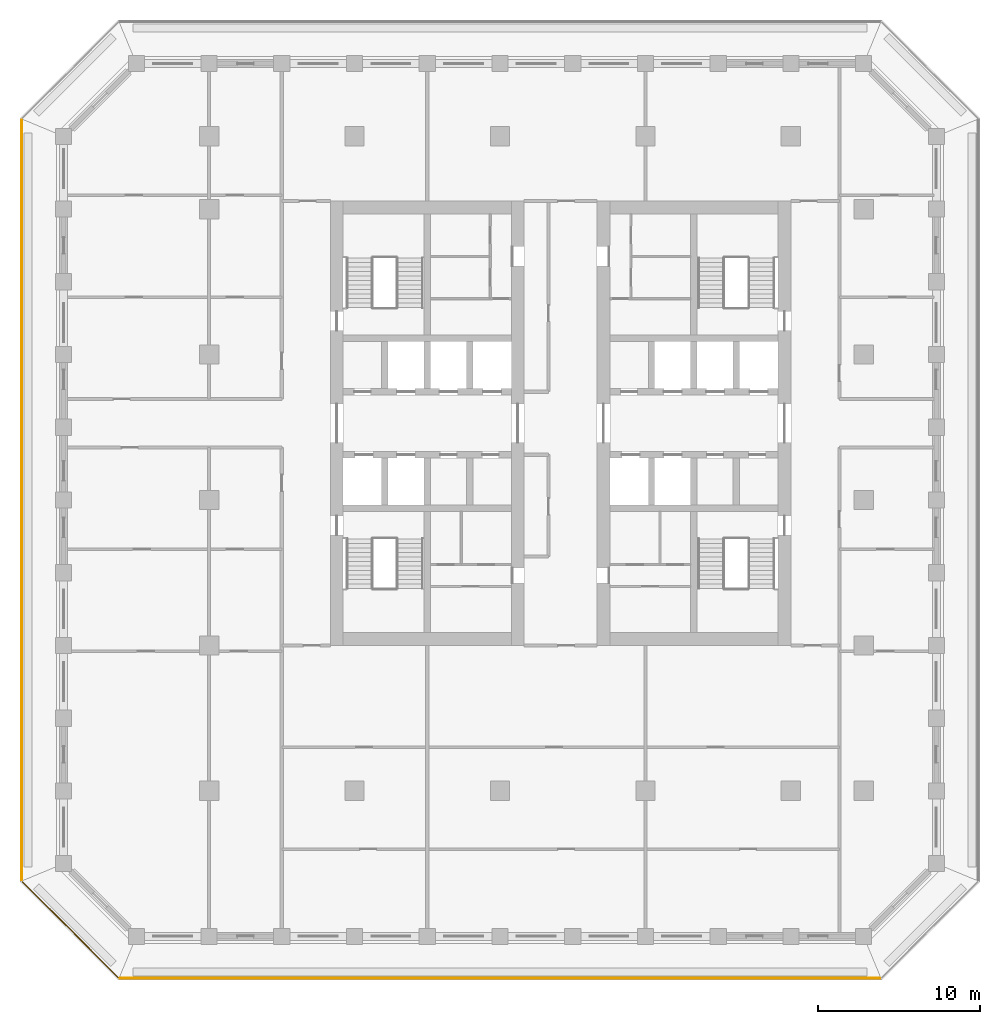
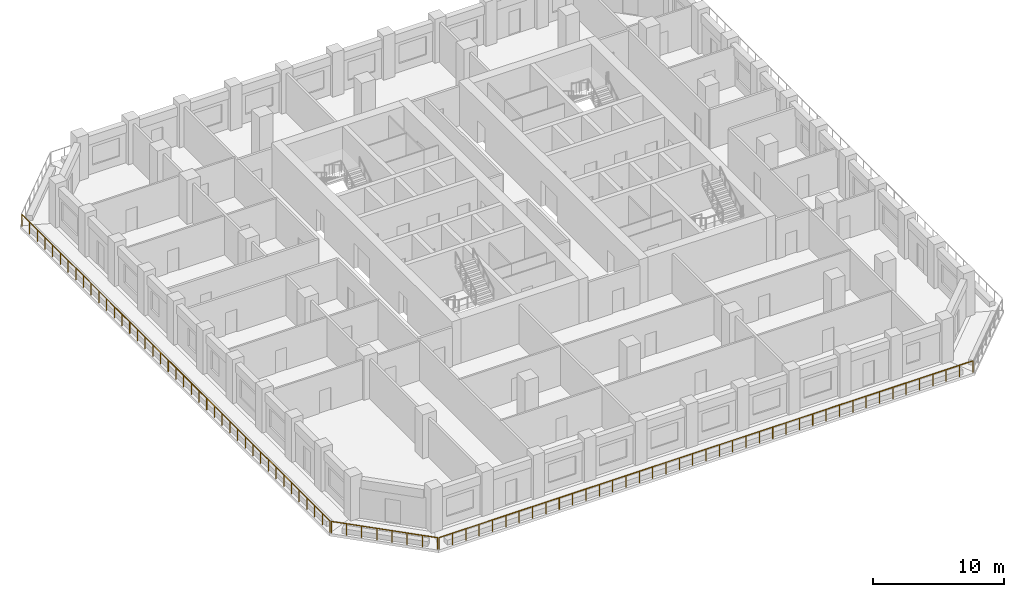
# One storey, part 9 of 16: 3 railings.
"""IFC4 building model written with IfcOpenShell, lengths in metres."""

from ifc_helpers import new_model, si_unit, direction, frame, origin, origin_2d, place, context, subcontext, project, spatial, circle, extrude, material, type_object, element, save


model = new_model("IFC4")

# Units and contexts
model_context = context("Model", 3, precision=1e-05, world=origin(), true_north=direction((0.0, 1.0)))
body_context = subcontext(model_context, "Body", "Model", "MODEL_VIEW")
ifc_project = project(units=[si_unit("LENGTHUNIT", "METRE"), si_unit("AREAUNIT", "SQUARE_METRE"), si_unit("VOLUMEUNIT", "CUBIC_METRE"), si_unit("PLANEANGLEUNIT", "RADIAN"), si_unit("MASSUNIT", "GRAM", prefix="KILO")], contexts=[model_context])

# Site, building, storey
site_placement = place(None, origin())
site = spatial("IfcSite", under=ifc_project, at=site_placement, CompositionType="ELEMENT")
building_placement = place(site_placement, origin())
building = spatial("IfcBuilding", under=site, at=building_placement, Name="Corbel Stack Research Tower", CompositionType="ELEMENT")
storey_placement = place(building_placement, frame((0.0, 0.0, 177.300048828125)))
storey = spatial("IfcBuildingStorey", under=building, at=storey_placement, Name="L40", CompositionType="ELEMENT", Elevation=177.300048828125)

# Railings
ifc_material = material(Name="Powder-coated steel guard", Category="steel")
railing_type = type_object("IfcRailingType", Name="Steel and glass guard 1100", PredefinedType="GUARDRAIL", material=ifc_material)
railing_1_placement = place(storey_placement, frame((-23.50537109375, -29.60009765625, 0.0)))
element("IfcRailing", 1, at=railing_1_placement, inside=storey, type_object=railing_type, Name="Loggia guard L40 S", PredefinedType="GUARDRAIL", context=body_context, shape_type="SweptSolid", body=[
    extrude(circle(Radius=0.02392578125, at=origin_2d()), frame((0.0, 0.0, 1.076171875), z_axis=(1.0, 0.0, 0.0), x_axis=(0.0, 1.0, 0.0)), (0.0, 0.0, 1.0), 47.0107421875),
    extrude(circle(Radius=0.02099609375, at=origin_2d()), origin(), (0.0, 0.0, 1.0), 1.052001953125),
    extrude(circle(Radius=0.02099609375, at=origin_2d()), frame((1.17529296875, 0.0, 0.0)), (0.0, 0.0, 1.0), 1.052001953125),
    extrude(circle(Radius=0.02099609375, at=origin_2d()), frame((2.3505859375, 0.0, 0.0)), (0.0, 0.0, 1.0), 1.052001953125),
    extrude(circle(Radius=0.02099609375, at=origin_2d()), frame((3.52587890625, 0.0, 0.0)), (0.0, 0.0, 1.0), 1.052001953125),
    extrude(circle(Radius=0.02099609375, at=origin_2d()), frame((4.701171875, 0.0, 0.0)), (0.0, 0.0, 1.0), 1.052001953125),
    extrude(circle(Radius=0.02099609375, at=origin_2d()), frame((5.87646484375, 0.0, 0.0)), (0.0, 0.0, 1.0), 1.052001953125),
    extrude(circle(Radius=0.02099609375, at=origin_2d()), frame((7.051513671875, 0.0, 0.0)), (0.0, 0.0, 1.0), 1.052001953125),
    extrude(circle(Radius=0.02099609375, at=origin_2d()), frame((8.226806640625, 0.0, 0.0)), (0.0, 0.0, 1.0), 1.052001953125),
    extrude(circle(Radius=0.02099609375, at=origin_2d()), frame((9.402099609375, 0.0, 0.0)), (0.0, 0.0, 1.0), 1.052001953125),
    extrude(circle(Radius=0.02099609375, at=origin_2d()), frame((10.577392578125, 0.0, 0.0)), (0.0, 0.0, 1.0), 1.052001953125),
    extrude(circle(Radius=0.02099609375, at=origin_2d()), frame((11.752685546875, 0.0, 0.0)), (0.0, 0.0, 1.0), 1.052001953125),
    extrude(circle(Radius=0.02099609375, at=origin_2d()), frame((12.927978515625, 0.0, 0.0)), (0.0, 0.0, 1.0), 1.052001953125),
    extrude(circle(Radius=0.02099609375, at=origin_2d()), frame((14.103271484375, 0.0, 0.0)), (0.0, 0.0, 1.0), 1.052001953125),
    extrude(circle(Radius=0.02099609375, at=origin_2d()), frame((15.278564453125, 0.0, 0.0)), (0.0, 0.0, 1.0), 1.052001953125),
    extrude(circle(Radius=0.02099609375, at=origin_2d()), frame((16.453857421875, 0.0, 0.0)), (0.0, 0.0, 1.0), 1.052001953125),
    extrude(circle(Radius=0.02099609375, at=origin_2d()), frame((17.62890625, 0.0, 0.0)), (0.0, 0.0, 1.0), 1.052001953125),
    extrude(circle(Radius=0.02099609375, at=origin_2d()), frame((18.80419921875, 0.0, 0.0)), (0.0, 0.0, 1.0), 1.052001953125),
    extrude(circle(Radius=0.02099609375, at=origin_2d()), frame((19.9794921875, 0.0, 0.0)), (0.0, 0.0, 1.0), 1.052001953125),
    extrude(circle(Radius=0.02099609375, at=origin_2d()), frame((21.15478515625, 0.0, 0.0)), (0.0, 0.0, 1.0), 1.052001953125),
    extrude(circle(Radius=0.02099609375, at=origin_2d()), frame((22.330078125, 0.0, 0.0)), (0.0, 0.0, 1.0), 1.052001953125),
    extrude(circle(Radius=0.02099609375, at=origin_2d()), frame((23.50537109375, 0.0, 0.0)), (0.0, 0.0, 1.0), 1.052001953125),
    extrude(circle(Radius=0.02099609375, at=origin_2d()), frame((24.6806640625, 0.0, 0.0)), (0.0, 0.0, 1.0), 1.052001953125),
    extrude(circle(Radius=0.02099609375, at=origin_2d()), frame((25.85595703125, 0.0, 0.0)), (0.0, 0.0, 1.0), 1.052001953125),
    extrude(circle(Radius=0.02099609375, at=origin_2d()), frame((27.03125, 0.0, 0.0)), (0.0, 0.0, 1.0), 1.052001953125),
    extrude(circle(Radius=0.02099609375, at=origin_2d()), frame((28.20654296875, 0.0, 0.0)), (0.0, 0.0, 1.0), 1.052001953125),
    extrude(circle(Radius=0.02099609375, at=origin_2d()), frame((29.3818359375, 0.0, 0.0)), (0.0, 0.0, 1.0), 1.052001953125),
    extrude(circle(Radius=0.02099609375, at=origin_2d()), frame((30.556884765625, 0.0, 0.0)), (0.0, 0.0, 1.0), 1.052001953125),
    extrude(circle(Radius=0.02099609375, at=origin_2d()), frame((31.732177734375, 0.0, 0.0)), (0.0, 0.0, 1.0), 1.052001953125),
    extrude(circle(Radius=0.02099609375, at=origin_2d()), frame((32.907470703125, 0.0, 0.0)), (0.0, 0.0, 1.0), 1.052001953125),
    extrude(circle(Radius=0.02099609375, at=origin_2d()), frame((34.082763671875, 0.0, 0.0)), (0.0, 0.0, 1.0), 1.052001953125),
    extrude(circle(Radius=0.02099609375, at=origin_2d()), frame((35.258056640625, 0.0, 0.0)), (0.0, 0.0, 1.0), 1.052001953125),
    extrude(circle(Radius=0.02099609375, at=origin_2d()), frame((36.433349609375, 0.0, 0.0)), (0.0, 0.0, 1.0), 1.052001953125),
    extrude(circle(Radius=0.02099609375, at=origin_2d()), frame((37.608642578125, 0.0, 0.0)), (0.0, 0.0, 1.0), 1.052001953125),
    extrude(circle(Radius=0.02099609375, at=origin_2d()), frame((38.783935546875, 0.0, 0.0)), (0.0, 0.0, 1.0), 1.052001953125),
    extrude(circle(Radius=0.02099609375, at=origin_2d()), frame((39.959228515625, 0.0, 0.0)), (0.0, 0.0, 1.0), 1.052001953125),
    extrude(circle(Radius=0.02099609375, at=origin_2d()), frame((41.13427734375, 0.0, 0.0)), (0.0, 0.0, 1.0), 1.052001953125),
    extrude(circle(Radius=0.02099609375, at=origin_2d()), frame((42.3095703125, 0.0, 0.0)), (0.0, 0.0, 1.0), 1.052001953125),
    extrude(circle(Radius=0.02099609375, at=origin_2d()), frame((43.48486328125, 0.0, 0.0)), (0.0, 0.0, 1.0), 1.052001953125),
    extrude(circle(Radius=0.02099609375, at=origin_2d()), frame((44.66015625, 0.0, 0.0)), (0.0, 0.0, 1.0), 1.052001953125),
    extrude(circle(Radius=0.02099609375, at=origin_2d()), frame((45.83544921875, 0.0, 0.0)), (0.0, 0.0, 1.0), 1.052001953125),
    extrude(circle(Radius=0.02099609375, at=origin_2d()), frame((47.0107421875, 0.0, 0.0)), (0.0, 0.0, 1.0), 1.052001953125),
])
railing_2_placement = place(storey_placement, frame((-29.60009765625, 23.50537109375, 0.0)))
element("IfcRailing", 2, at=railing_2_placement, inside=storey, type_object=railing_type, Name="Loggia guard L40 W", PredefinedType="GUARDRAIL", context=body_context, shape_type="SweptSolid", body=[
    extrude(circle(Radius=0.02392578125, at=origin_2d()), frame((0.0, 0.0, 1.076171875), z_axis=(0.0, -1.0, 0.0), x_axis=(1.0, 0.0, 0.0)), (0.0, 0.0, 1.0), 47.0107421875),
    extrude(circle(Radius=0.02099609375, at=origin_2d()), origin(), (0.0, 0.0, 1.0), 1.052001953125),
    extrude(circle(Radius=0.02099609375, at=origin_2d()), frame((0.0, -1.17529296875, 0.0)), (0.0, 0.0, 1.0), 1.052001953125),
    extrude(circle(Radius=0.02099609375, at=origin_2d()), frame((0.0, -2.3505859375, 0.0)), (0.0, 0.0, 1.0), 1.052001953125),
    extrude(circle(Radius=0.02099609375, at=origin_2d()), frame((0.0, -3.52587890625, 0.0)), (0.0, 0.0, 1.0), 1.052001953125),
    extrude(circle(Radius=0.02099609375, at=origin_2d()), frame((0.0, -4.701171875, 0.0)), (0.0, 0.0, 1.0), 1.052001953125),
    extrude(circle(Radius=0.02099609375, at=origin_2d()), frame((0.0, -5.87646484375, 0.0)), (0.0, 0.0, 1.0), 1.052001953125),
    extrude(circle(Radius=0.02099609375, at=origin_2d()), frame((0.0, -7.051513671875, 0.0)), (0.0, 0.0, 1.0), 1.052001953125),
    extrude(circle(Radius=0.02099609375, at=origin_2d()), frame((0.0, -8.226806640625, 0.0)), (0.0, 0.0, 1.0), 1.052001953125),
    extrude(circle(Radius=0.02099609375, at=origin_2d()), frame((0.0, -9.402099609375, 0.0)), (0.0, 0.0, 1.0), 1.052001953125),
    extrude(circle(Radius=0.02099609375, at=origin_2d()), frame((0.0, -10.577392578125, 0.0)), (0.0, 0.0, 1.0), 1.052001953125),
    extrude(circle(Radius=0.02099609375, at=origin_2d()), frame((0.0, -11.752685546875, 0.0)), (0.0, 0.0, 1.0), 1.052001953125),
    extrude(circle(Radius=0.02099609375, at=origin_2d()), frame((0.0, -12.927978515625, 0.0)), (0.0, 0.0, 1.0), 1.052001953125),
    extrude(circle(Radius=0.02099609375, at=origin_2d()), frame((0.0, -14.103271484375, 0.0)), (0.0, 0.0, 1.0), 1.052001953125),
    extrude(circle(Radius=0.02099609375, at=origin_2d()), frame((0.0, -15.278564453125, 0.0)), (0.0, 0.0, 1.0), 1.052001953125),
    extrude(circle(Radius=0.02099609375, at=origin_2d()), frame((0.0, -16.453857421875, 0.0)), (0.0, 0.0, 1.0), 1.052001953125),
    extrude(circle(Radius=0.02099609375, at=origin_2d()), frame((0.0, -17.62890625, 0.0)), (0.0, 0.0, 1.0), 1.052001953125),
    extrude(circle(Radius=0.02099609375, at=origin_2d()), frame((0.0, -18.80419921875, 0.0)), (0.0, 0.0, 1.0), 1.052001953125),
    extrude(circle(Radius=0.02099609375, at=origin_2d()), frame((0.0, -19.9794921875, 0.0)), (0.0, 0.0, 1.0), 1.052001953125),
    extrude(circle(Radius=0.02099609375, at=origin_2d()), frame((0.0, -21.15478515625, 0.0)), (0.0, 0.0, 1.0), 1.052001953125),
    extrude(circle(Radius=0.02099609375, at=origin_2d()), frame((0.0, -22.330078125, 0.0)), (0.0, 0.0, 1.0), 1.052001953125),
    extrude(circle(Radius=0.02099609375, at=origin_2d()), frame((0.0, -23.50537109375, 0.0)), (0.0, 0.0, 1.0), 1.052001953125),
    extrude(circle(Radius=0.02099609375, at=origin_2d()), frame((0.0, -24.6806640625, 0.0)), (0.0, 0.0, 1.0), 1.052001953125),
    extrude(circle(Radius=0.02099609375, at=origin_2d()), frame((0.0, -25.85595703125, 0.0)), (0.0, 0.0, 1.0), 1.052001953125),
    extrude(circle(Radius=0.02099609375, at=origin_2d()), frame((0.0, -27.03125, 0.0)), (0.0, 0.0, 1.0), 1.052001953125),
    extrude(circle(Radius=0.02099609375, at=origin_2d()), frame((0.0, -28.20654296875, 0.0)), (0.0, 0.0, 1.0), 1.052001953125),
    extrude(circle(Radius=0.02099609375, at=origin_2d()), frame((0.0, -29.3818359375, 0.0)), (0.0, 0.0, 1.0), 1.052001953125),
    extrude(circle(Radius=0.02099609375, at=origin_2d()), frame((0.0, -30.556884765625, 0.0)), (0.0, 0.0, 1.0), 1.052001953125),
    extrude(circle(Radius=0.02099609375, at=origin_2d()), frame((0.0, -31.732177734375, 0.0)), (0.0, 0.0, 1.0), 1.052001953125),
    extrude(circle(Radius=0.02099609375, at=origin_2d()), frame((0.0, -32.907470703125, 0.0)), (0.0, 0.0, 1.0), 1.052001953125),
    extrude(circle(Radius=0.02099609375, at=origin_2d()), frame((0.0, -34.082763671875, 0.0)), (0.0, 0.0, 1.0), 1.052001953125),
    extrude(circle(Radius=0.02099609375, at=origin_2d()), frame((0.0, -35.258056640625, 0.0)), (0.0, 0.0, 1.0), 1.052001953125),
    extrude(circle(Radius=0.02099609375, at=origin_2d()), frame((0.0, -36.433349609375, 0.0)), (0.0, 0.0, 1.0), 1.052001953125),
    extrude(circle(Radius=0.02099609375, at=origin_2d()), frame((0.0, -37.608642578125, 0.0)), (0.0, 0.0, 1.0), 1.052001953125),
    extrude(circle(Radius=0.02099609375, at=origin_2d()), frame((0.0, -38.783935546875, 0.0)), (0.0, 0.0, 1.0), 1.052001953125),
    extrude(circle(Radius=0.02099609375, at=origin_2d()), frame((0.0, -39.959228515625, 0.0)), (0.0, 0.0, 1.0), 1.052001953125),
    extrude(circle(Radius=0.02099609375, at=origin_2d()), frame((0.0, -41.13427734375, 0.0)), (0.0, 0.0, 1.0), 1.052001953125),
    extrude(circle(Radius=0.02099609375, at=origin_2d()), frame((0.0, -42.3095703125, 0.0)), (0.0, 0.0, 1.0), 1.052001953125),
    extrude(circle(Radius=0.02099609375, at=origin_2d()), frame((0.0, -43.48486328125, 0.0)), (0.0, 0.0, 1.0), 1.052001953125),
    extrude(circle(Radius=0.02099609375, at=origin_2d()), frame((0.0, -44.66015625, 0.0)), (0.0, 0.0, 1.0), 1.052001953125),
    extrude(circle(Radius=0.02099609375, at=origin_2d()), frame((0.0, -45.83544921875, 0.0)), (0.0, 0.0, 1.0), 1.052001953125),
    extrude(circle(Radius=0.02099609375, at=origin_2d()), frame((0.0, -47.0107421875, 0.0)), (0.0, 0.0, 1.0), 1.052001953125),
])
railing_3_placement = place(storey_placement, frame((-29.54931640625, -23.627685546875, 0.0)))
element("IfcRailing", 3, at=railing_3_placement, inside=storey, type_object=railing_type, Name="Loggia guard L40 SW", PredefinedType="GUARDRAIL", context=body_context, shape_type="SweptSolid", body=[
    extrude(circle(Radius=0.02392578125, at=origin_2d()), frame((0.0, 0.0, 1.076171875), z_axis=(0.707106781187, -0.707106781187, 0.0), x_axis=(0.707106781187, 0.707106781187, 0.0)), (0.0, 0.0, 1.0), 8.37451171875),
    extrude(circle(Radius=0.02099609375, at=origin_2d()), origin(), (0.0, 0.0, 1.0), 1.052001953125),
    extrude(circle(Radius=0.02099609375, at=origin_2d()), frame((0.845947265625, -0.845947265625, 0.0)), (0.0, 0.0, 1.0), 1.052001953125),
    extrude(circle(Radius=0.02099609375, at=origin_2d()), frame((1.69189453125, -1.69189453125, 0.0)), (0.0, 0.0, 1.0), 1.052001953125),
    extrude(circle(Radius=0.02099609375, at=origin_2d()), frame((2.537841796875, -2.537841796875, 0.0)), (0.0, 0.0, 1.0), 1.052001953125),
    extrude(circle(Radius=0.02099609375, at=origin_2d()), frame((3.3837890625, -3.3837890625, 0.0)), (0.0, 0.0, 1.0), 1.052001953125),
    extrude(circle(Radius=0.02099609375, at=origin_2d()), frame((4.229736328125, -4.229736328125, 0.0)), (0.0, 0.0, 1.0), 1.052001953125),
    extrude(circle(Radius=0.02099609375, at=origin_2d()), frame((5.07568359375, -5.07568359375, 0.0)), (0.0, 0.0, 1.0), 1.052001953125),
    extrude(circle(Radius=0.02099609375, at=origin_2d()), frame((5.921630859375, -5.921630859375, 0.0)), (0.0, 0.0, 1.0), 1.052001953125),
])

save(model, "model.ifc")
